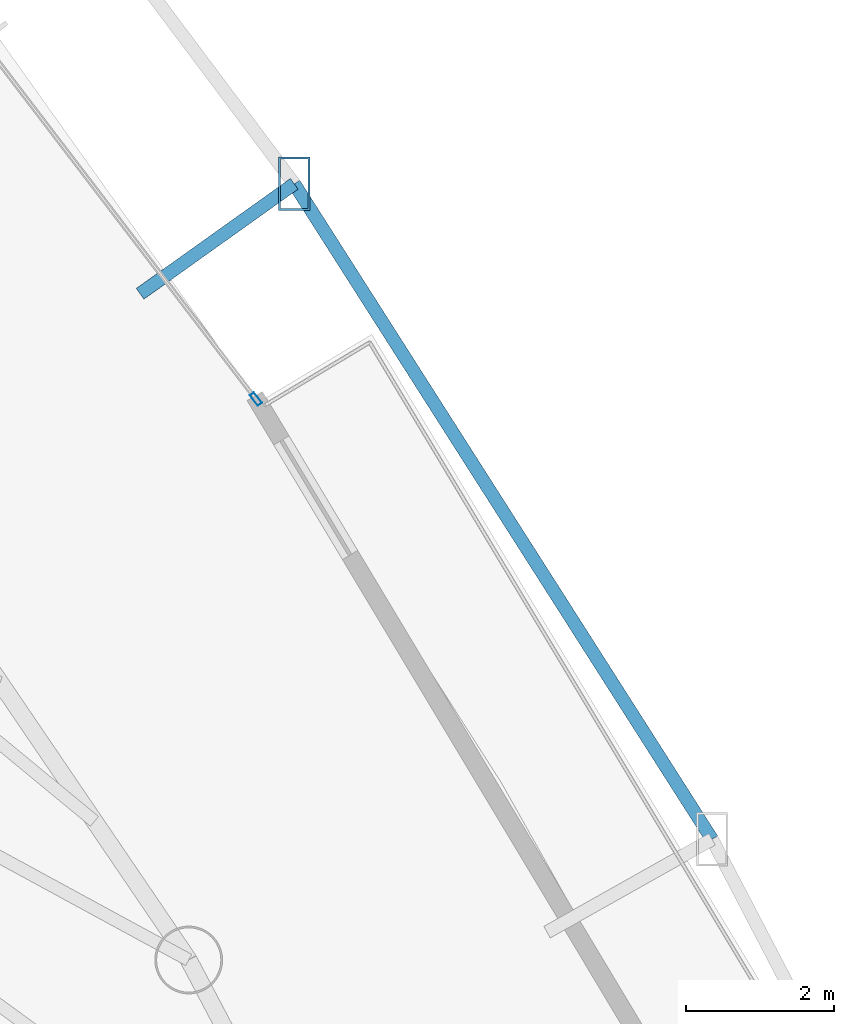
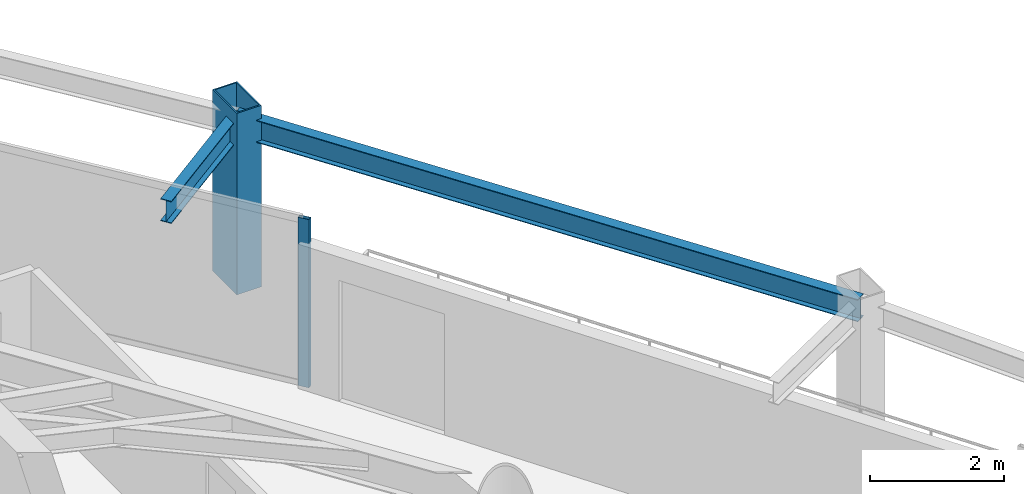
# One storey, part 26 of 33: 2 beams, 2 members, 1 element without a shape of its own.
"""IFC4 building model written with IfcOpenShell, lengths in metres."""

from ifc_helpers import new_model, si_unit, direction, frame, origin, origin_2d, place, context, subcontext, project, spatial, hollow_rectangle, i_section, extrude, material, layer, layer_set, material_profile, profile_set, type_object, element, aggregate, save


model = new_model("IFC4")

# Units and contexts
model_context = context("Model", 3, precision=1e-05, world=origin(), true_north=direction((0.0, 1.0)))
body_context = subcontext(model_context, "Body", "Model", "MODEL_VIEW")
ifc_project = project(units=[si_unit("LENGTHUNIT", "METRE"), si_unit("AREAUNIT", "SQUARE_METRE"), si_unit("VOLUMEUNIT", "CUBIC_METRE"), si_unit("PLANEANGLEUNIT", "RADIAN"), si_unit("MASSUNIT", "GRAM", prefix="KILO")], contexts=[model_context])

# Site, building, storey
site_placement = place(None, origin())
site = spatial("IfcSite", under=ifc_project, at=site_placement, CompositionType="ELEMENT")
building_placement = place(site_placement, origin())
building = spatial("IfcBuilding", under=site, at=building_placement, Name="Orvanel Arch Residences", CompositionType="ELEMENT")
storey_placement = place(building_placement, frame((0.0, 0.0, 84.050048828125)))
storey = spatial("IfcBuildingStorey", under=building, at=storey_placement, Name="L23", CompositionType="ELEMENT", Elevation=84.050048828125)

# Member
ifc_material_1 = material(Name="Structural steel AS/NZS 3678 Grade 350", Category="steel")
ifc_material_profile_1 = material_profile(ifc_material_1, hollow_rectangle(XDim=0.419921875, YDim=0.719970703125, WallThickness=0.02490234375, at=origin_2d()), Name="RHS720x420x25")
ifc_profile_set_1 = profile_set([ifc_material_profile_1], Name="Structural steel AS/NZS 3678 Grade 350")
member_type_1 = type_object("IfcMemberType", Name="CH-720RHS-EXT", PredefinedType="CHORD", material=ifc_profile_set_1)
member_1_placement = place(storey_placement, frame((46.85205078125, 38.096923828125, 0.0), z_axis=(0.0, 0.0, 1.0), x_axis=(1.0, 0.0, 0.0)))
element("IfcMember", 1, at=member_1_placement, inside=storey, type_object=member_type_1, Name="L23 Outer Perimeter Frame Post 11", PredefinedType="CHORD", context=body_context, shape_type="SweptSolid", body=[
    extrude(hollow_rectangle(XDim=0.419921875, YDim=0.719970703125, WallThickness=0.02490234375, at=origin_2d()), origin(), (0.0, 0.0, 1.0), 3.300048828125),
])

# Curtain wall, member
ifc_material_2 = material(Name="Bronze-anodised aluminium AA6063-T6", Category="aluminium")
ifc_layer = layer(ifc_material_2, 0.179931640625)
ifc_layer_set = layer_set([ifc_layer], Name="Bronze-anodised aluminium AA6063-T6")
curtain_wall_type = type_object("IfcCurtainWallType", Name="CW2-LOW-SYS", PredefinedType="NOTDEFINED", material=ifc_layer_set)
curtain_wall_placement = place(storey_placement, origin())
curtain_wall = element("IfcCurtainWall", 2, at=curtain_wall_placement, inside=storey, type_object=curtain_wall_type, Name="L23 CW2-LOW-SYS Unitised Curtain Wall", PredefinedType="NOTDEFINED")
ifc_material_profile_2 = material_profile(ifc_material_2, hollow_rectangle(XDim=0.070068359375, YDim=0.179931640625, WallThickness=0.00439453125, at=origin_2d()), Name="ALU180x70x4.5")
ifc_profile_set_2 = profile_set([ifc_material_profile_2], Name="Bronze-anodised aluminium AA6063-T6")
member_type_2 = type_object("IfcMemberType", Name="MUL-180x70", PredefinedType="MULLION", material=ifc_profile_set_2)
member_2_placement = place(storey_placement, frame((46.336669921875, 35.19873046875, 0.0), z_axis=(0.0, 0.0, 1.0), x_axis=(-0.794618292381, -0.607109355399, 0.0)))
member_2 = element("IfcMember", 3, at=member_2_placement, type_object=member_type_2, Name="CW-S2 mullion 1", PredefinedType="MULLION", context=body_context, shape_type="SweptSolid", body=[
    extrude(hollow_rectangle(XDim=0.070068359375, YDim=0.179931640625, WallThickness=0.00439453125, at=origin_2d()), origin(), (0.0, 0.0, 1.0), 3.06005859375),
])
aggregate(curtain_wall, [member_2])

# Beams
ifc_material_3 = material(Name="Structural steel AS/NZS 3679.1 Grade 300 (300 MPa)", Category="steel")
ifc_material_profile_3 = material_profile(ifc_material_3, i_section(OverallWidth=0.177978515625, OverallDepth=0.406005859375, WebThickness=0.0078125, FlangeThickness=0.0126953125, at=origin_2d()), Name="410UB59.7")
ifc_profile_set_3 = profile_set([ifc_material_profile_3], Name="Structural steel AS/NZS 3679.1 Grade 300 (300 MPa)")
beam_type = type_object("IfcBeamType", Name="OB-410UB-EXT", PredefinedType="SPANDREL", material=ifc_profile_set_3)
beam_1_placement = place(storey_placement, frame((52.48095703125, 29.26708984375, 2.85693359375), z_axis=(-0.537549671561, 0.843232085849, 0.0), x_axis=(-0.843232085849, -0.537549671561, 0.0)))
element("IfcBeam", 4, at=beam_1_placement, inside=storey, type_object=beam_type, Name="L23 Outer Perimeter Floor Ring Beam 10", PredefinedType="SPANDREL", context=body_context, shape_type="SweptSolid", body=[
    extrude(i_section(OverallWidth=0.177978515625, OverallDepth=0.406005859375, WebThickness=0.0078125, FlangeThickness=0.0126953125, at=origin_2d()), origin(), (0.0, 0.0, 1.0), 10.471435546875),
])
beam_2_placement = place(storey_placement, frame((44.77587890625, 36.615966796875, 2.85693359375), z_axis=(0.814108469275, 0.580712838032, 0.0), x_axis=(-0.580712838032, 0.814108469275, 0.0)))
element("IfcBeam", 5, at=beam_2_placement, inside=storey, type_object=beam_type, Name="L23 Outer Frame Radial Tie Beam 11", PredefinedType="SPANDREL", context=body_context, shape_type="SweptSolid", body=[
    extrude(i_section(OverallWidth=0.177978515625, OverallDepth=0.406005859375, WebThickness=0.0078125, FlangeThickness=0.0126953125, at=origin_2d()), origin(), (0.0, 0.0, 1.0), 2.55029296875),
])

save(model, "model.ifc")
